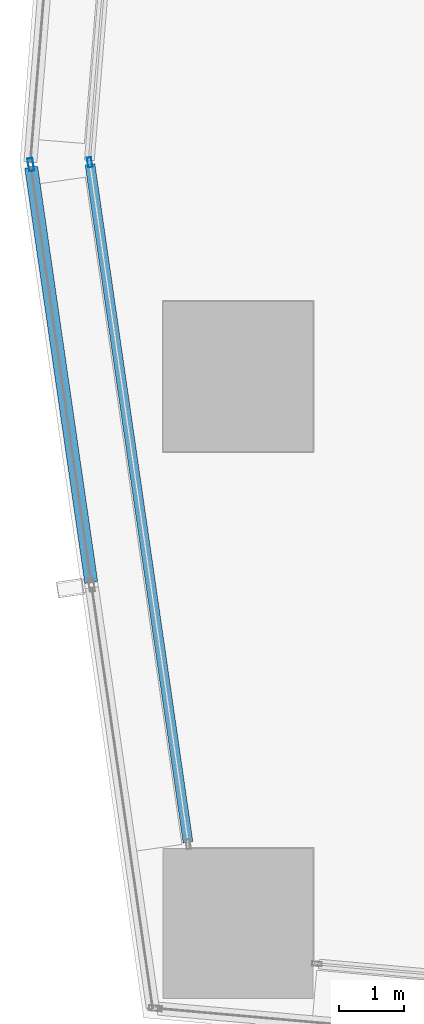
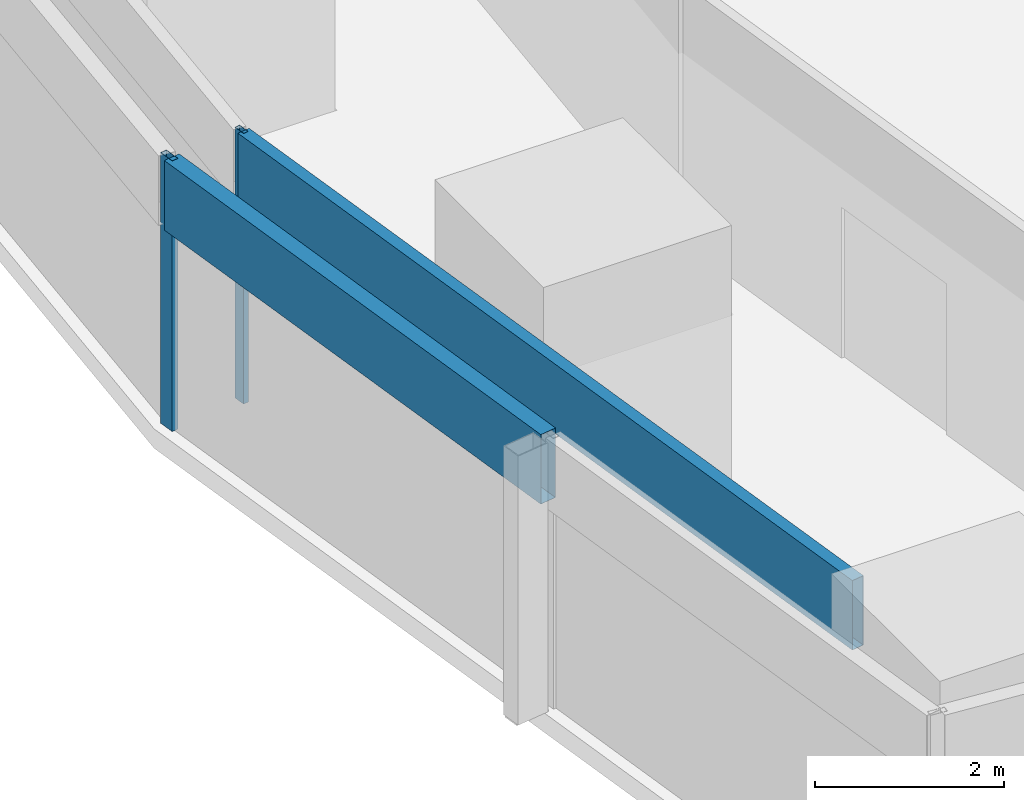
# One storey, part 3 of 32: 4 members, 2 elements without a shape of their own.
"""IFC4 building model written with IfcOpenShell, lengths in metres."""

from ifc_helpers import new_model, si_unit, direction, frame, origin, origin_2d, place, context, subcontext, project, spatial, hollow_rectangle, extrude, material, material_profile, profile_set, type_object, element, aggregate, save


model = new_model("IFC4")

# Units and contexts
model_context = context("Model", 3, precision=1e-05, world=origin(), true_north=direction((0.0, 1.0)))
body_context = subcontext(model_context, "Body", "Model", "MODEL_VIEW")
ifc_project = project(units=[si_unit("LENGTHUNIT", "METRE"), si_unit("AREAUNIT", "SQUARE_METRE"), si_unit("VOLUMEUNIT", "CUBIC_METRE"), si_unit("PLANEANGLEUNIT", "RADIAN"), si_unit("MASSUNIT", "GRAM", prefix="KILO")], contexts=[model_context])

# Site, building, storey
site_placement = place(None, origin())
site = spatial("IfcSite", under=ifc_project, at=site_placement, CompositionType="ELEMENT")
building_placement = place(site_placement, origin())
building = spatial("IfcBuilding", under=site, at=building_placement, Name="Rekha Terrace Tower", CompositionType="ELEMENT")
storey_placement = place(building_placement, frame((0.0, 0.0, 250.10009765625)))
storey = spatial("IfcBuildingStorey", under=building, at=storey_placement, Name="L63", CompositionType="ELEMENT", Elevation=250.10009765625)

# Curtain wall, members
ifc_material_1 = material(Name="Aluminium framing", Category="aluminium")
curtain_wall_type_1 = type_object("IfcCurtainWallType", Name="CW1 double skin inner glazing", PredefinedType="USERDEFINED", material=ifc_material_1)
curtain_wall_1_placement = place(storey_placement, origin())
curtain_wall_1 = element("IfcCurtainWall", 1, at=curtain_wall_1_placement, inside=storey, type_object=curtain_wall_type_1, Name="CW1 double skin inner glazing", ObjectType="DOUBLE SKIN INNER GLAZING", PredefinedType="USERDEFINED")
ifc_material_2 = material(Name="Aluminium mullion section", Category="aluminium")
ifc_material_profile_1 = material_profile(ifc_material_2, hollow_rectangle(XDim=0.06494140625, YDim=0.14990234375, WallThickness=0.00390625, at=origin_2d()), Name="AL RHS 65x150")
ifc_profile_set_1 = profile_set([ifc_material_profile_1], Name="Aluminium mullion section")
member_type_1 = type_object("IfcMemberType", Name="CW1 mullion RHS 65 x 150", PredefinedType="MULLION", material=ifc_profile_set_1)
member_1_placement = place(storey_placement, frame((6.120849609375, 28.4912109375, 0.0), z_axis=(0.0, 0.0, 1.0), x_axis=(0.989707031396, 0.143108322626, 0.0)))
member_1 = element("IfcMember", 2, at=member_1_placement, type_object=member_type_1, Name="CW1 mullion 1", PredefinedType="MULLION", context=body_context, shape_type="SweptSolid", body=[
    extrude(hollow_rectangle(XDim=0.06494140625, YDim=0.14990234375, WallThickness=0.00390625, at=origin_2d()), origin(), (0.0, 0.0, 1.0), 3.5),
])
ifc_material_3 = material(Name="Insulated aluminium spandrel box", Category="aluminium")
ifc_material_profile_2 = material_profile(ifc_material_3, hollow_rectangle(XDim=0.14990234375, YDim=0.89990234375, WallThickness=0.0029296875, at=origin_2d()), Name="AL SPANDREL BOX 150x900")
ifc_profile_set_2 = profile_set([ifc_material_profile_2], Name="Insulated aluminium spandrel box")
member_type_2 = type_object("IfcMemberType", Name="CW1 spandrel transom 150 x 900", PredefinedType="USERDEFINED", material=ifc_profile_set_2)
member_2_placement = place(storey_placement, frame((6.12548828125, 28.458984375, 3.0498046875), z_axis=(0.143100952664, -0.98970809704, 0.0), x_axis=(0.98970809704, 0.143100952664, 0.0)))
member_2 = element("IfcMember", 3, at=member_2_placement, type_object=member_type_2, Name="CW1 spandrel transom 1", ObjectType="TRANSOM", PredefinedType="USERDEFINED", context=body_context, shape_type="SweptSolid", body=[
    extrude(hollow_rectangle(XDim=0.14990234375, YDim=0.89990234375, WallThickness=0.0029296875, at=origin_2d()), origin(), (0.0, 0.0, 1.0), 10.51953125),
])
aggregate(curtain_wall_1, [member_1, member_2])

curtain_wall_type_2 = type_object("IfcCurtainWallType", Name="CW2 double skin outer glazing", PredefinedType="USERDEFINED", material=ifc_material_1)
curtain_wall_2_placement = place(storey_placement, origin())
curtain_wall_2 = element("IfcCurtainWall", 4, at=curtain_wall_2_placement, inside=storey, type_object=curtain_wall_type_2, Name="CW2 double skin outer glazing", ObjectType="DOUBLE SKIN OUTER GLAZING", PredefinedType="USERDEFINED")
ifc_material_profile_3 = material_profile(ifc_material_2, hollow_rectangle(XDim=0.080078125, YDim=0.199951171875, WallThickness=0.00390625, at=origin_2d()), Name="AL RHS 80x200")
ifc_profile_set_3 = profile_set([ifc_material_profile_3], Name="Aluminium mullion section")
member_type_3 = type_object("IfcMemberType", Name="CW2 mullion RHS 80 x 200", PredefinedType="MULLION", material=ifc_profile_set_3)
member_3_placement = place(storey_placement, frame((5.216552734375, 28.455322265625, 0.0), z_axis=(0.0, 0.0, 1.0), x_axis=(0.989707031389, 0.143108322678, 0.0)))
member_3 = element("IfcMember", 5, at=member_3_placement, type_object=member_type_3, Name="CW2 mullion 1", PredefinedType="MULLION", context=body_context, shape_type="SweptSolid", body=[
    extrude(hollow_rectangle(XDim=0.080078125, YDim=0.199951171875, WallThickness=0.00390625, at=origin_2d()), origin(), (0.0, 0.0, 1.0), 3.5),
])
ifc_material_profile_4 = material_profile(ifc_material_3, hollow_rectangle(XDim=0.199951171875, YDim=0.89990234375, WallThickness=0.0029296875, at=origin_2d()), Name="AL SPANDREL BOX 200x900")
ifc_profile_set_4 = profile_set([ifc_material_profile_4], Name="Insulated aluminium spandrel box")
member_type_4 = type_object("IfcMemberType", Name="CW2 spandrel transom 200 x 900", PredefinedType="USERDEFINED", material=ifc_profile_set_4)
member_4_placement = place(storey_placement, frame((5.222412109375, 28.415771484375, 3.0498046875), z_axis=(0.143091438807, -0.989709472593, 0.0), x_axis=(0.989709472593, 0.143091438807, 0.0)))
member_4 = element("IfcMember", 6, at=member_4_placement, type_object=member_type_4, Name="CW2 spandrel transom 1", ObjectType="TRANSOM", PredefinedType="USERDEFINED", context=body_context, shape_type="SweptSolid", body=[
    extrude(hollow_rectangle(XDim=0.199951171875, YDim=0.89990234375, WallThickness=0.0029296875, at=origin_2d()), origin(), (0.0, 0.0, 1.0), 6.446044921875),
])
aggregate(curtain_wall_2, [member_3, member_4])

save(model, "model.ifc")
